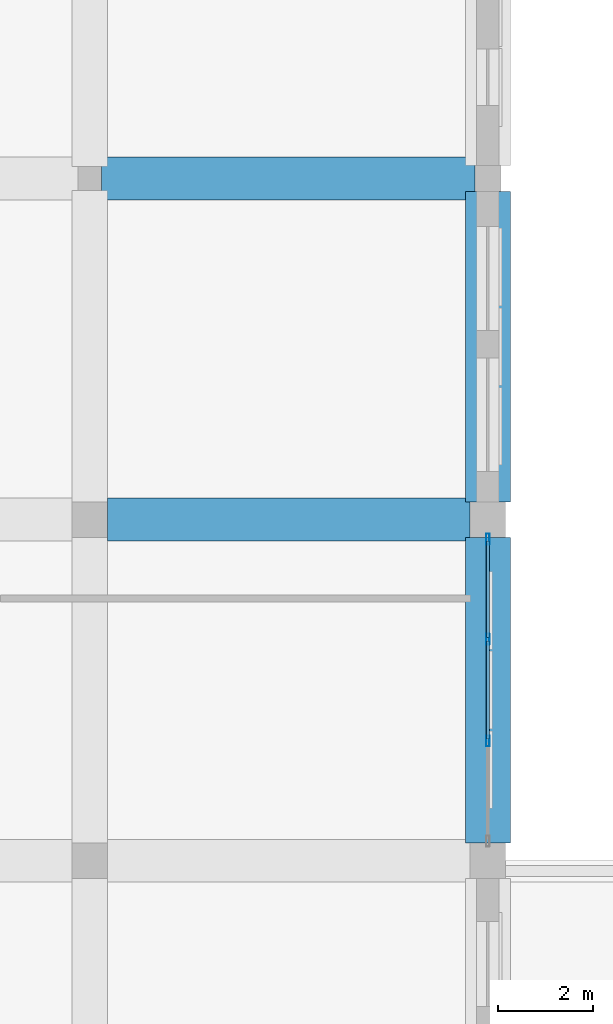
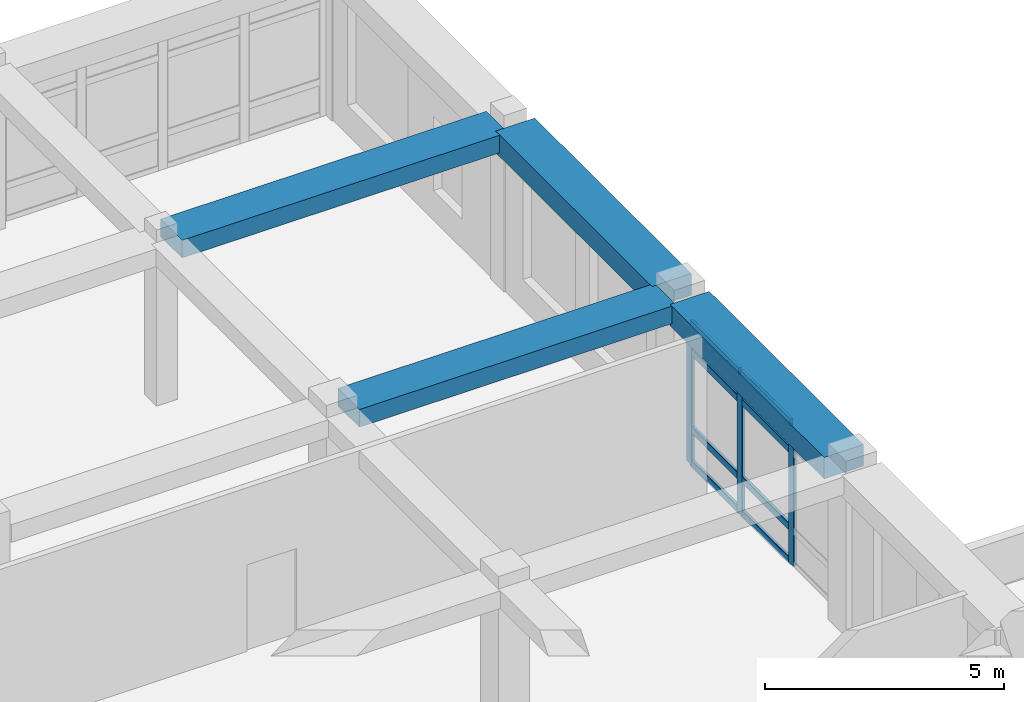
# One storey, part 51 of 121: 11 members, 4 beams, 1 element without a shape of its own.
"""IFC4 building model written with IfcOpenShell, lengths in metres."""

from ifc_helpers import new_model, si_unit, derived_unit, direction, frame, origin, origin_2d, place, context, subcontext, project, spatial, rectangle, hollow_rectangle, extrude, material, material_profile, profile_set, type_object, element, aggregate, save


model = new_model("IFC4")

# Units and contexts
model_context = context("Model", 3, precision=1e-05, world=origin(), true_north=direction((0.0, 1.0)))
body_context = subcontext(model_context, "Body", "Model", "MODEL_VIEW")
ifc_project = project(units=[si_unit("LENGTHUNIT", "METRE"), si_unit("AREAUNIT", "SQUARE_METRE"), si_unit("VOLUMEUNIT", "CUBIC_METRE"), si_unit("PLANEANGLEUNIT", "RADIAN"), si_unit("MASSUNIT", "GRAM", prefix="KILO"), derived_unit("THERMALTRANSMITTANCEUNIT", [(si_unit("POWERUNIT", "WATT"), 1), (si_unit("LENGTHUNIT", "METRE"), -2), (si_unit("THERMODYNAMICTEMPERATUREUNIT", "KELVIN"), -1)])], contexts=[model_context])

# Site, building, storey
site_placement = place(None, origin())
site = spatial("IfcSite", under=ifc_project, at=site_placement, CompositionType="ELEMENT")
building_placement = place(site_placement, origin())
building = spatial("IfcBuilding", under=site, at=building_placement, Name="Veybourne Emporium", CompositionType="ELEMENT")
storey_placement = place(building_placement, frame((0.0, 0.0, 5.39990234375)))
storey = spatial("IfcBuildingStorey", under=building, at=storey_placement, Name="L01", CompositionType="ELEMENT", Elevation=5.39990234375)

# Curtain wall, members
ifc_material_1 = material(Name="Patinated Architectural Bronze", Category="bronze")
curtain_wall_type = type_object("IfcCurtainWallType", Name="CWSystem_CWS-22", PredefinedType="NOTDEFINED", material=ifc_material_1)
curtain_wall_placement = place(storey_placement, origin())
curtain_wall = element("IfcCurtainWall", 1, at=curtain_wall_placement, inside=storey, type_object=curtain_wall_type, Name="L01 bronze glazed curtain wall CWS-22 (057)", PredefinedType="NOTDEFINED")
ifc_material_profile_1 = material_profile(ifc_material_1, hollow_rectangle(XDim=0.074951171875, YDim=0.22998046875, WallThickness=0.0048828125, InnerFilletRadius=0.007568359375, OuterFilletRadius=0.012451171875, at=origin_2d()), Name="CWM 75x230x5")
ifc_profile_set_1 = profile_set([ifc_material_profile_1], Name="Patinated Architectural Bronze")
member_type_1 = type_object("IfcMemberType", Name="CWMullion_CW-M2", PredefinedType="MULLION", material=ifc_profile_set_1)
member_1_placement = place(storey_placement, frame((100.800048828125, 100.387451171875, 0.0), z_axis=(0.0, 0.0, 1.0), x_axis=(1.0, 0.0, 0.0)))
member_1 = element("IfcMember", 2, at=member_1_placement, type_object=member_type_1, Name="CWS-22 mullion 1", PredefinedType="MULLION", context=body_context, shape_type="SweptSolid", body=[
    extrude(hollow_rectangle(XDim=0.074951171875, YDim=0.22998046875, WallThickness=0.0048828125, InnerFilletRadius=0.007568359375, OuterFilletRadius=0.012451171875, at=origin_2d()), origin(), (0.0, 0.0, 1.0), 3.630126953125),
])
member_2_placement = place(storey_placement, frame((100.800048828125, 98.27490234375, 0.0), z_axis=(0.0, 0.0, 1.0), x_axis=(1.0, 0.0, 0.0)))
member_2 = element("IfcMember", 3, at=member_2_placement, type_object=member_type_1, Name="CWS-22 mullion 2", PredefinedType="MULLION", context=body_context, shape_type="SweptSolid", body=[
    extrude(hollow_rectangle(XDim=0.074951171875, YDim=0.22998046875, WallThickness=0.0048828125, InnerFilletRadius=0.007568359375, OuterFilletRadius=0.012451171875, at=origin_2d()), origin(), (0.0, 0.0, 1.0), 3.630126953125),
])
member_3_placement = place(storey_placement, frame((100.800048828125, 96.125, 0.0), z_axis=(0.0, 0.0, 1.0), x_axis=(1.0, 0.0, 0.0)))
member_3 = element("IfcMember", 4, at=member_3_placement, type_object=member_type_1, Name="CWS-22 mullion 3", PredefinedType="MULLION", context=body_context, shape_type="SweptSolid", body=[
    extrude(hollow_rectangle(XDim=0.074951171875, YDim=0.22998046875, WallThickness=0.0048828125, InnerFilletRadius=0.007568359375, OuterFilletRadius=0.012451171875, at=origin_2d()), origin(), (0.0, 0.0, 1.0), 3.630126953125),
])
ifc_material_profile_2 = material_profile(ifc_material_1, hollow_rectangle(XDim=0.074951171875, YDim=0.179931640625, WallThickness=0.0048828125, InnerFilletRadius=0.007568359375, OuterFilletRadius=0.012451171875, at=origin_2d()), Name="CWT 75x180x5")
ifc_profile_set_2 = profile_set([ifc_material_profile_2], Name="Patinated Architectural Bronze")
member_type_2 = type_object("IfcMemberType", Name="CWTransom_CW-T2", PredefinedType="NOTDEFINED", material=ifc_profile_set_2)
member_4_placement = place(storey_placement, frame((100.800048828125, 100.35009765625, 0.03759765625), z_axis=(0.0, -1.0, 0.0), x_axis=(1.0, 0.0, 0.0)))
member_4 = element("IfcMember", 5, at=member_4_placement, type_object=member_type_2, Name="CWS-22 transom 1.1", ObjectType="TRANSOM", PredefinedType="USERDEFINED", context=body_context, shape_type="SweptSolid", body=[
    extrude(hollow_rectangle(XDim=0.074951171875, YDim=0.179931640625, WallThickness=0.0048828125, InnerFilletRadius=0.007568359375, OuterFilletRadius=0.012451171875, at=origin_2d()), origin(), (0.0, 0.0, 1.0), 2.03759765625),
])
member_5_placement = place(storey_placement, frame((100.800048828125, 100.35009765625, 0.900146484375), z_axis=(0.0, -1.0, 0.0), x_axis=(1.0, 0.0, 0.0)))
member_5 = element("IfcMember", 6, at=member_5_placement, type_object=member_type_2, Name="CWS-22 transom 1.2", ObjectType="TRANSOM", PredefinedType="USERDEFINED", context=body_context, shape_type="SweptSolid", body=[
    extrude(hollow_rectangle(XDim=0.074951171875, YDim=0.179931640625, WallThickness=0.0048828125, InnerFilletRadius=0.007568359375, OuterFilletRadius=0.012451171875, at=origin_2d()), origin(), (0.0, 0.0, 1.0), 2.03759765625),
])
member_6_placement = place(storey_placement, frame((100.800048828125, 100.35009765625, 2.880126953125), z_axis=(0.0, -1.0, 0.0), x_axis=(1.0, 0.0, 0.0)))
member_6 = element("IfcMember", 7, at=member_6_placement, type_object=member_type_2, Name="CWS-22 transom 1.3", ObjectType="TRANSOM", PredefinedType="USERDEFINED", context=body_context, shape_type="SweptSolid", body=[
    extrude(hollow_rectangle(XDim=0.074951171875, YDim=0.179931640625, WallThickness=0.0048828125, InnerFilletRadius=0.007568359375, OuterFilletRadius=0.012451171875, at=origin_2d()), origin(), (0.0, 0.0, 1.0), 2.03759765625),
])
member_7_placement = place(storey_placement, frame((100.800048828125, 100.35009765625, 3.592529296875), z_axis=(0.0, -1.0, 0.0), x_axis=(1.0, 0.0, 0.0)))
member_7 = element("IfcMember", 8, at=member_7_placement, type_object=member_type_2, Name="CWS-22 transom 1.4", ObjectType="TRANSOM", PredefinedType="USERDEFINED", context=body_context, shape_type="SweptSolid", body=[
    extrude(hollow_rectangle(XDim=0.074951171875, YDim=0.179931640625, WallThickness=0.0048828125, InnerFilletRadius=0.007568359375, OuterFilletRadius=0.012451171875, at=origin_2d()), origin(), (0.0, 0.0, 1.0), 2.03759765625),
])
member_8_placement = place(storey_placement, frame((100.800048828125, 98.237548828125, 0.03759765625), z_axis=(0.0, -1.0, 0.0), x_axis=(1.0, 0.0, 0.0)))
member_8 = element("IfcMember", 9, at=member_8_placement, type_object=member_type_2, Name="CWS-22 transom 2.1", ObjectType="TRANSOM", PredefinedType="USERDEFINED", context=body_context, shape_type="SweptSolid", body=[
    extrude(hollow_rectangle(XDim=0.074951171875, YDim=0.179931640625, WallThickness=0.0048828125, InnerFilletRadius=0.007568359375, OuterFilletRadius=0.012451171875, at=origin_2d()), origin(), (0.0, 0.0, 1.0), 2.074951171875),
])
member_9_placement = place(storey_placement, frame((100.800048828125, 98.237548828125, 0.900146484375), z_axis=(0.0, -1.0, 0.0), x_axis=(1.0, 0.0, 0.0)))
member_9 = element("IfcMember", 10, at=member_9_placement, type_object=member_type_2, Name="CWS-22 transom 2.2", ObjectType="TRANSOM", PredefinedType="USERDEFINED", context=body_context, shape_type="SweptSolid", body=[
    extrude(hollow_rectangle(XDim=0.074951171875, YDim=0.179931640625, WallThickness=0.0048828125, InnerFilletRadius=0.007568359375, OuterFilletRadius=0.012451171875, at=origin_2d()), origin(), (0.0, 0.0, 1.0), 2.074951171875),
])
member_10_placement = place(storey_placement, frame((100.800048828125, 98.237548828125, 2.880126953125), z_axis=(0.0, -1.0, 0.0), x_axis=(1.0, 0.0, 0.0)))
member_10 = element("IfcMember", 11, at=member_10_placement, type_object=member_type_2, Name="CWS-22 transom 2.3", ObjectType="TRANSOM", PredefinedType="USERDEFINED", context=body_context, shape_type="SweptSolid", body=[
    extrude(hollow_rectangle(XDim=0.074951171875, YDim=0.179931640625, WallThickness=0.0048828125, InnerFilletRadius=0.007568359375, OuterFilletRadius=0.012451171875, at=origin_2d()), origin(), (0.0, 0.0, 1.0), 2.074951171875),
])
member_11_placement = place(storey_placement, frame((100.800048828125, 98.237548828125, 3.592529296875), z_axis=(0.0, -1.0, 0.0), x_axis=(1.0, 0.0, 0.0)))
member_11 = element("IfcMember", 12, at=member_11_placement, type_object=member_type_2, Name="CWS-22 transom 2.4", ObjectType="TRANSOM", PredefinedType="USERDEFINED", context=body_context, shape_type="SweptSolid", body=[
    extrude(hollow_rectangle(XDim=0.074951171875, YDim=0.179931640625, WallThickness=0.0048828125, InnerFilletRadius=0.007568359375, OuterFilletRadius=0.012451171875, at=origin_2d()), origin(), (0.0, 0.0, 1.0), 2.074951171875),
])
aggregate(curtain_wall, [member_1, member_2, member_3, member_4, member_5, member_6, member_7, member_8, member_9, member_10, member_11])

# Beams
ifc_material_2 = material(Name="Concrete C32/40", Category="concrete")
ifc_material_profile_3 = material_profile(ifc_material_2, rectangle(XDim=0.89990234375, YDim=0.449951171875, at=origin_2d()), Name="RC 900x450")
ifc_profile_set_3 = profile_set([ifc_material_profile_3], Name="Concrete C32/40")
beam_type_1 = type_object("IfcBeamType", Name="RCBeam_BB-03", PredefinedType="BEAM", material=ifc_profile_set_3)
beam_1_placement = place(storey_placement, frame((92.77490234375, 100.800048828125, 3.955078125), z_axis=(1.0, 0.0, 0.0), x_axis=(0.0, 1.0, 0.0)))
element("IfcBeam", 13, at=beam_1_placement, inside=storey, type_object=beam_type_1, Name="L01 X-grid beam BB-03 (11,14)", PredefinedType="BEAM", context=body_context, shape_type="SweptSolid", body=[
    extrude(rectangle(XDim=0.89990234375, YDim=0.449951171875, at=origin_2d()), origin(), (0.0, 0.0, 1.0), 7.650146484375),
])
beam_2_placement = place(storey_placement, frame((92.64990234375, 108.0, 3.955078125), z_axis=(1.0, 0.0, 0.0), x_axis=(0.0, 1.0, 0.0)))
element("IfcBeam", 14, at=beam_2_placement, inside=storey, type_object=beam_type_1, Name="L01 X-grid beam BB-03 (11,15)", PredefinedType="BEAM", context=body_context, shape_type="SweptSolid", body=[
    extrude(rectangle(XDim=0.89990234375, YDim=0.449951171875, at=origin_2d()), origin(), (0.0, 0.0, 1.0), 7.875),
])
ifc_material_profile_4 = material_profile(ifc_material_2, rectangle(XDim=0.949951171875, YDim=0.550048828125, at=origin_2d()), Name="RC 950x550")
ifc_profile_set_4 = profile_set([ifc_material_profile_4], Name="Concrete C32/40")
beam_type_2 = type_object("IfcBeamType", Name="RCBeam_EB-01", PredefinedType="SPANDREL", material=ifc_profile_set_4)
beam_3_placement = place(storey_placement, frame((100.800048828125, 93.97509765625, 3.905029296875), z_axis=(0.0, 1.0, 0.0), x_axis=(-1.0, 0.0, 0.0)))
element("IfcBeam", 15, at=beam_3_placement, inside=storey, type_object=beam_type_2, Name="L01 Y-grid beam EB-01 (12,13)", PredefinedType="SPANDREL", context=body_context, shape_type="SweptSolid", body=[
    extrude(rectangle(XDim=0.949951171875, YDim=0.550048828125, at=origin_2d()), origin(), (0.0, 0.0, 1.0), 6.449951171875),
])
beam_4_placement = place(storey_placement, frame((100.800048828125, 101.175048828125, 3.905029296875), z_axis=(0.0, 1.0, 0.0), x_axis=(-1.0, 0.0, 0.0)))
element("IfcBeam", 16, at=beam_4_placement, inside=storey, type_object=beam_type_2, Name="L01 Y-grid beam EB-01 (12,14)", PredefinedType="SPANDREL", context=body_context, shape_type="SweptSolid", body=[
    extrude(rectangle(XDim=0.949951171875, YDim=0.550048828125, at=origin_2d()), origin(), (0.0, 0.0, 1.0), 6.550048828125),
])

save(model, "model.ifc")
